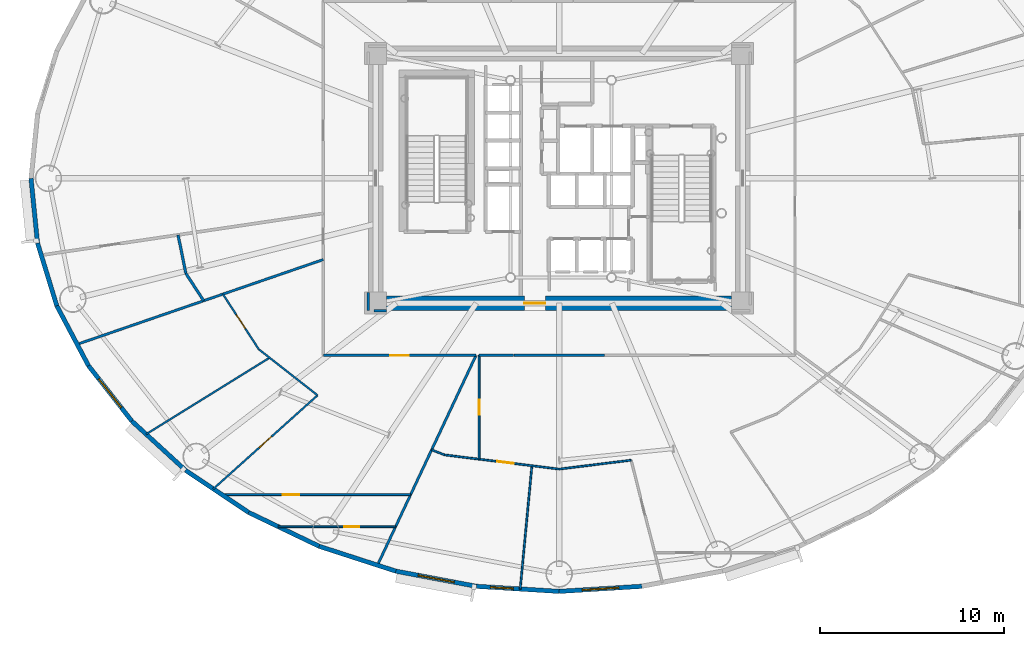
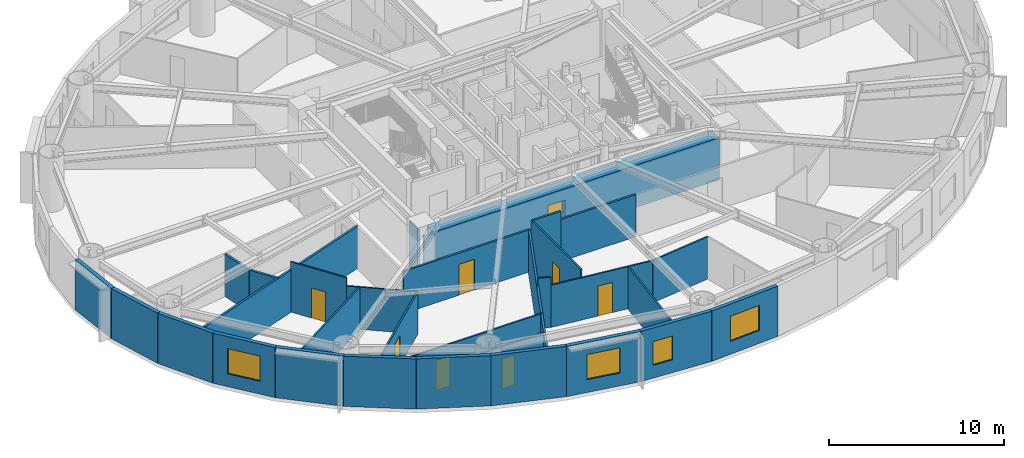
# One storey, part 11 of 21: 32 walls, 8 doors, 4 windows, 12 openings.
"""IFC4 building model written with IfcOpenShell, lengths in metres."""

import ifcopenshell
import ifcopenshell.guid

model = None  # the IFC model being written
_history = None  # IfcOwnerHistory: only IFC2X3 demands one
_inside = {}  # id of a spatial element -> (the spatial element, [elements in it])
_under = {}  # id of a project, library or spatial element -> (it, [spatial elements below it])
_declared = {}  # id of a project -> (the project, [libraries it declares])
_typed = {}  # id of a type object -> (the type object, [elements of that type])
_made_of = {}  # id of a material, layer set ... -> (it, [elements and type objects made of it])


def new_model(schema):
    """Start an empty IFC model of exactly this schema.

    Asked for "IFC4X3", IfcOpenShell would pick the latest addendum, in which some entities
    have other attributes; the version numbers below select the first issue.
    IFC2X3 requires an IfcOwnerHistory on every rooted entity: one is made here for all.
    """
    global model, _history
    if schema == "IFC4X3":
        model = ifcopenshell.file(schema_version=(4, 3, 0, 0))
    else:
        model = ifcopenshell.file(schema=schema)
    _inside.clear()
    _under.clear()
    _declared.clear()
    _typed.clear()
    _made_of.clear()
    _history = None
    if model.schema == "IFC2X3":
        org = make("IfcOrganization", Name="unknown")
        user = make(
            "IfcPersonAndOrganization",
            ThePerson=make("IfcPerson", FamilyName="unknown"),
            TheOrganization=org,
        )
        app = make(
            "IfcApplication",
            ApplicationDeveloper=org,
            Version="unknown",
            ApplicationFullName="unknown",
            ApplicationIdentifier="unknown",
        )
        _history = make(
            "IfcOwnerHistory",
            OwningUser=user,
            OwningApplication=app,
            ChangeAction="ADDED",
            CreationDate=0,
        )
    return model


def make(cls, **values):
    """One entity of the class cls with the attributes given. An attribute that is None is left unset."""
    return model.create_entity(
        cls, **{name: value for name, value in values.items() if value is not None}
    )


def rooted(cls, **values):
    """An entity with a GlobalId (a new one), such as an element, a storey or a relation."""
    return make(cls, GlobalId=ifcopenshell.guid.new(), OwnerHistory=_history, **values)


def si_unit(unit_type, name, prefix=None):
    """IfcSIUnit, for example si_unit("LENGTHUNIT", "METRE", prefix="MILLI")."""
    return make("IfcSIUnit", UnitType=unit_type, Prefix=prefix, Name=name)


def assignment(units):
    """IfcUnitAssignment: the units of a project."""
    return None if units is None else make("IfcUnitAssignment", Units=units)


def point(xyz):
    """IfcCartesianPoint."""
    return None if xyz is None else make("IfcCartesianPoint", Coordinates=xyz)


def direction(xyz):
    """IfcDirection."""
    return None if xyz is None else make("IfcDirection", DirectionRatios=xyz)


def frame(location, z_axis=None, x_axis=None):
    """IfcAxis2Placement3D, a coordinate frame: its origin and axes. An axis left out is left unset."""
    return make(
        "IfcAxis2Placement3D",
        Location=point(location),
        Axis=direction(z_axis),
        RefDirection=direction(x_axis),
    )


def frame_2d(location, x_axis=None):
    """IfcAxis2Placement2D, a coordinate frame in the plane: its origin and x axis."""
    return make(
        "IfcAxis2Placement2D", Location=point(location), RefDirection=direction(x_axis)
    )


def origin():
    """The frame at (0, 0, 0) with its axes left unset."""
    return frame((0.0, 0.0, 0.0))


def origin_2d():
    """The frame at (0, 0) in the plane with its x axis left unset."""
    return frame_2d((0.0, 0.0))


def place(relative_to, where):
    """IfcLocalPlacement: puts the frame where relative to a parent placement (None: the world)."""
    return make(
        "IfcLocalPlacement", PlacementRelTo=relative_to, RelativePlacement=where
    )


def context(
    kind, dimensions, precision=None, world=None, true_north=None, identifier=None
):
    """IfcGeometricRepresentationContext, for example the 3D "Model" context."""
    return make(
        "IfcGeometricRepresentationContext",
        ContextIdentifier=identifier,
        ContextType=kind,
        CoordinateSpaceDimension=dimensions,
        Precision=precision,
        WorldCoordinateSystem=world,
        TrueNorth=true_north,
    )


def subcontext(parent, identifier, kind, view, scale=None):
    """IfcGeometricRepresentationSubContext, for example "Body" below "Model"."""
    return make(
        "IfcGeometricRepresentationSubContext",
        ContextIdentifier=identifier,
        ContextType=kind,
        ParentContext=parent,
        TargetScale=scale,
        TargetView=view,
    )


def project(units=None, contexts=None):
    """IfcProject with its units and contexts."""
    return rooted(
        "IfcProject",
        Name="project",
        RepresentationContexts=contexts,
        UnitsInContext=assignment(units),
    )


def spatial(cls, under=None, at=None, **own):
    """A site, building, storey or space (cls), placed at a placement, below another one or the project."""
    s = rooted(cls, ObjectPlacement=at, **own)
    if under is not None:
        _under.setdefault(under.id(), (under, []))[1].append(s)
    return s


def profile(cls, at=None, kind="AREA", **sizes):
    """A parametric profile (cls). Its sizes go by their IFC names, for example OverallWidth=200.0."""
    return make(cls, ProfileType=kind, Position=at, **sizes)


def rectangle(**sizes):
    """IfcRectangleProfileDef."""
    return profile("IfcRectangleProfileDef", **sizes)


def extrude(swept, where, along, depth):
    """IfcExtrudedAreaSolid: the profile swept, set in the frame where, extruded along a direction by depth."""
    return make(
        "IfcExtrudedAreaSolid",
        SweptArea=swept,
        Position=where,
        ExtrudedDirection=direction(along),
        Depth=depth,
    )


def shape(context_of_items, identifier, shape_type, items):
    """IfcShapeRepresentation: the items that make up one representation, for example the "Body"."""
    return make(
        "IfcShapeRepresentation",
        ContextOfItems=context_of_items,
        RepresentationIdentifier=identifier,
        RepresentationType=shape_type,
        Items=items,
    )


def source(mapping_origin, context_of_items, identifier, shape_type, items):
    """IfcRepresentationMap: a shape defined once, which mapped items show again and again."""
    return make(
        "IfcRepresentationMap",
        MappingOrigin=mapping_origin,
        MappedRepresentation=shape(context_of_items, identifier, shape_type, items),
    )


def transform(
    local_origin,
    x_axis=None,
    y_axis=None,
    z_axis=None,
    scale=None,
    scale2=None,
    scale3=None,
    uniform=True,
):
    """IfcCartesianTransformationOperator3D, or its non-uniform kind. x_axis, y_axis, z_axis: its Axis1, 2, 3."""
    if uniform:
        return make(
            "IfcCartesianTransformationOperator3D",
            Axis1=direction(x_axis),
            Axis2=direction(y_axis),
            LocalOrigin=point(local_origin),
            Scale=scale,
            Axis3=direction(z_axis),
        )
    return make(
        "IfcCartesianTransformationOperator3DnonUniform",
        Axis1=direction(x_axis),
        Axis2=direction(y_axis),
        LocalOrigin=point(local_origin),
        Scale=scale,
        Axis3=direction(z_axis),
        Scale2=scale2,
        Scale3=scale3,
    )


def mapped(mapping_source, mapping_target):
    """IfcMappedItem: shows the shape of a source again, moved by a transform."""
    return make(
        "IfcMappedItem", MappingSource=mapping_source, MappingTarget=mapping_target
    )


def material(Name=None, Category=None):
    """IfcMaterial."""
    return make("IfcMaterial", Name=Name, Category=Category)


def layer(
    of_material, thickness, ventilated=None, Name=None, Category=None, Priority=None
):
    """IfcMaterialLayer: one layer of a wall or slab, of a material (None: an air gap)."""
    return make(
        "IfcMaterialLayer",
        Material=of_material,
        LayerThickness=thickness,
        IsVentilated=ventilated,
        Name=Name,
        Category=Category,
        Priority=Priority,
    )


def layer_set(layers, Name=None):
    """IfcMaterialLayerSet."""
    return make("IfcMaterialLayerSet", MaterialLayers=layers, LayerSetName=Name)


def made_of(thing, what):
    """Note that an element or type object is made of a material, layer set ...; save() writes the relation."""
    if what is not None:
        _made_of.setdefault(what.id(), (what, []))[1].append(thing)
    return thing


def type_object(cls, material=None, **own):
    """A type object (cls), such as IfcWallType, which elements share."""
    return made_of(rooted(cls, **own), material)


def element(
    cls,
    number,
    at=None,
    inside=None,
    cuts=None,
    type_object=None,
    material=None,
    context=None,
    identifier="Body",
    shape_type=None,
    held_by="IfcProductDefinitionShape",
    body=None,
    shapes=None,
    **own,
):
    """One element of the class cls, such as IfcWall. Its Tag is "e" and its number.

    at: its placement. inside: the storey or other place that contains it. cuts: it is an
    opening in that element (IfcRelVoidsElement). A single representation is given by context,
    identifier, shape_type and body (its items); several are given by shapes. held_by: the class
    of the entity that holds the representations. save() writes the other relations.
    """
    e = rooted(cls, Tag="e%d" % number, ObjectPlacement=at, **own)
    if body is not None:
        shapes = [shape(context, identifier, shape_type, body)]
    if shapes is not None:
        e.Representation = make(held_by, Representations=shapes)
    if inside is not None:
        _inside.setdefault(inside.id(), (inside, []))[1].append(e)
    if cuts is not None:
        rooted(
            "IfcRelVoidsElement", RelatingBuildingElement=cuts, RelatedOpeningElement=e
        )
    if type_object is not None:
        _typed.setdefault(type_object.id(), (type_object, []))[1].append(e)
    return made_of(e, material)


def fill(opening, filler):
    """IfcRelFillsElement: the door or window that sits in an opening."""
    return rooted(
        "IfcRelFillsElement",
        RelatingOpeningElement=opening,
        RelatedBuildingElement=filler,
    )


def aggregate(whole, parts):
    """IfcRelAggregates: a whole, such as a stair, and the parts it consists of."""
    return rooted("IfcRelAggregates", RelatingObject=whole, RelatedObjects=parts)


def save(model, path):
    """Write the relations noted so far, then the file.

    IfcRelAggregates (storeys below a building ...), IfcRelContainedInSpatialStructure (elements
    in a storey), IfcRelDefinesByType, IfcRelAssociatesMaterial and IfcRelDeclares: one each for
    every whole, place, type object, material and project.
    """
    for whole, parts in _under.values():
        aggregate(whole, parts)
    for where, things in _inside.values():
        rooted(
            "IfcRelContainedInSpatialStructure",
            RelatedElements=things,
            RelatingStructure=where,
        )
    for kind, things in _typed.values():
        rooted("IfcRelDefinesByType", RelatedObjects=things, RelatingType=kind)
    for what, things in _made_of.values():
        rooted("IfcRelAssociatesMaterial", RelatedObjects=things, RelatingMaterial=what)
    for by, libraries in _declared.values():
        rooted("IfcRelDeclares", RelatingContext=by, RelatedDefinitions=libraries)
    model.write(path)


model = new_model("IFC4")

# Units and contexts
model_context = context("Model", 3, precision=1e-05, world=origin(), true_north=direction((0.0, 1.0)))
body_context = subcontext(model_context, "Body", "Model", "MODEL_VIEW")
ifc_project = project(units=[si_unit("LENGTHUNIT", "METRE"), si_unit("AREAUNIT", "SQUARE_METRE"), si_unit("VOLUMEUNIT", "CUBIC_METRE"), si_unit("PLANEANGLEUNIT", "RADIAN"), si_unit("MASSUNIT", "GRAM", prefix="KILO")], contexts=[model_context])

# Site, building, storey
site_placement = place(None, origin())
site = spatial("IfcSite", under=ifc_project, at=site_placement, CompositionType="ELEMENT")
building_placement = place(site_placement, origin())
building = spatial("IfcBuilding", under=site, at=building_placement, Name="Linh Dai School and Residence Tower", CompositionType="ELEMENT")
storey_placement = place(building_placement, frame((0.0, 0.0, 134.699951171875)))
storey = spatial("IfcBuildingStorey", under=building, at=storey_placement, Name="L32", CompositionType="ELEMENT", Elevation=134.699951171875)

# Walls
ifc_material_1 = material(Name="Precast Concrete B45 (C35/45)", Category="concrete")
ifc_layer_1 = layer(ifc_material_1, 0.239990234375)
ifc_layer_set_1 = layer_set([ifc_layer_1], Name="Precast Concrete B45 (C35/45)")
wall_type_1 = type_object("IfcWallType", Name="EW-TC-240", PredefinedType="SOLIDWALL", material=ifc_layer_set_1)
wall_1_placement = place(storey_placement, frame((7.578369140625, 23.484619140625, 0.0), z_axis=(0.0, 0.0, 1.0), x_axis=(-0.099989468229, 0.994988495533, 0.0)))
element("IfcWall", 1, at=wall_1_placement, inside=storey, type_object=wall_type_1, Name="L32 Terracotta Exterior Wall 21", PredefinedType="SOLIDWALL", context=body_context, shape_type="SweptSolid", body=[
    extrude(rectangle(XDim=3.533203125, YDim=0.239990234375, at=frame_2d((1.7666015625, 0.0))), origin(), (0.0, 0.0, 1.0), 3.5),
])
wall_2_placement = place(storey_placement, frame((8.6298828125, 20.054931640625, 0.0), z_axis=(0.0, 0.0, 1.0), x_axis=(-0.293124431344, 0.956074300329, 0.0)))
element("IfcWall", 2, at=wall_2_placement, inside=storey, type_object=wall_type_1, Name="L32 Terracotta Exterior Wall 22", PredefinedType="SOLIDWALL", context=body_context, shape_type="SweptSolid", body=[
    extrude(rectangle(XDim=3.587158203125, YDim=0.239990234375, at=frame_2d((1.79345703125, 0.0))), origin(), (0.0, 0.0, 1.0), 3.5),
])
wall_3_placement = place(storey_placement, frame((10.354736328125, 16.79443359375, 0.0), z_axis=(0.0, 0.0, 1.0), x_axis=(-0.467614004126, 0.883932770716, 0.0)))
element("IfcWall", 3, at=wall_3_placement, inside=storey, type_object=wall_type_1, Name="L32 Terracotta Exterior Wall 23", PredefinedType="SOLIDWALL", context=body_context, shape_type="SweptSolid", body=[
    extrude(rectangle(XDim=3.688720703125, YDim=0.239990234375, at=frame_2d((1.84423828125, 0.0))), origin(), (0.0, 0.0, 1.0), 3.5),
])

# Wall, opening, window
wall_4_placement = place(storey_placement, frame((12.7109375, 13.783447265625, 0.0), z_axis=(0.0, 0.0, 1.0), x_axis=(-0.616272103517, 0.787533297345, 0.0)))
wall_4 = element("IfcWall", 4, at=wall_4_placement, inside=storey, type_object=wall_type_1, Name="L32 Terracotta Exterior Wall 24", PredefinedType="SOLIDWALL", context=body_context, shape_type="SweptSolid", body=[
    extrude(rectangle(XDim=3.8232421875, YDim=0.239990234375, at=frame_2d((1.91162109375, 0.0))), origin(), (0.0, 0.0, 1.0), 3.5),
])
opening_1_placement = place(wall_4_placement, frame((0.91162109375, 0.0, 0.89990234375)))
opening_1 = element("IfcOpeningElement", 5, at=opening_1_placement, cuts=wall_4, Name="Opening W1", PredefinedType="OPENING", context=body_context, shape_type="SweptSolid", body=[
    extrude(rectangle(XDim=2.0, YDim=1.75, at=origin_2d()), frame((1.0, 0.1298828125, 0.875), z_axis=(0.0, -1.0, 0.0), x_axis=(1.0, 0.0, 0.0)), (0.0, 0.0, 1.0), 0.260009765625),
])
ifc_material_2 = material(Name="Double Low-E Insulated Glazing", Category="glass")
window_type_1 = type_object("IfcWindowType", Name="WN-RES-2000x1750", PartitioningType="DOUBLE_PANEL_VERTICAL", PredefinedType="WINDOW", material=ifc_material_2)
shared_shape_1 = source(origin(), body_context, "Body", "SweptSolid", [
    extrude(rectangle(XDim=2.0, YDim=1.75, at=origin_2d()), frame((1.0, 0.030029296875, 0.875), z_axis=(0.0, -1.0, 0.0), x_axis=(1.0, 0.0, 0.0)), (0.0, 0.0, 1.0), 0.06005859375),
])
window_1_placement = place(opening_1_placement, origin())
window_1 = element("IfcWindow", 6, at=window_1_placement, inside=storey, type_object=window_type_1, Name="L32 Exterior Window 24.1", OverallHeight=1.75, OverallWidth=2.0, PartitioningType="DOUBLE_PANEL_VERTICAL", PredefinedType="WINDOW", context=body_context, shape_type="MappedRepresentation", body=[
    mapped(shared_shape_1, transform((0.0, 0.0, 0.0), x_axis=(1.0, 0.0, 0.0), y_axis=(0.0, 1.0, 0.0), z_axis=(0.0, 0.0, 1.0), scale=1.0)),
])
fill(opening_1, window_1)

# Walls
wall_5_placement = place(storey_placement, frame((15.6416015625, 11.0966796875, 0.0), z_axis=(0.0, 0.0, 1.0), x_axis=(-0.737113356241, 0.675769117414, 0.0)))
element("IfcWall", 7, at=wall_5_placement, inside=storey, type_object=wall_type_1, Name="L32 Terracotta Exterior Wall 25", PredefinedType="SOLIDWALL", context=body_context, shape_type="SweptSolid", body=[
    extrude(rectangle(XDim=3.975830078125, YDim=0.239990234375, at=frame_2d((1.98779296875, 0.0))), origin(), (0.0, 0.0, 1.0), 3.5),
])
wall_6_placement = place(storey_placement, frame((19.07470703125, 8.800537109375, 0.0), z_axis=(0.0, 0.0, 1.0), x_axis=(-0.831221811447, 0.555940914284, 0.0)))
element("IfcWall", 8, at=wall_6_placement, inside=storey, type_object=wall_type_1, Name="L32 Terracotta Exterior Wall 26", PredefinedType="SOLIDWALL", context=body_context, shape_type="SweptSolid", body=[
    extrude(rectangle(XDim=4.130126953125, YDim=0.239990234375, at=frame_2d((2.06494140625, 0.0))), origin(), (0.0, 0.0, 1.0), 3.5),
])
wall_7_placement = place(storey_placement, frame((22.926025390625, 6.95263671875, 0.0), z_axis=(0.0, 0.0, 1.0), x_axis=(-0.901589935876, 0.432591709962, 0.0)))
element("IfcWall", 9, at=wall_7_placement, inside=storey, type_object=wall_type_1, Name="L32 Terracotta Exterior Wall 27", PredefinedType="SOLIDWALL", context=body_context, shape_type="SweptSolid", body=[
    extrude(rectangle(XDim=4.271728515625, YDim=0.239990234375, at=frame_2d((2.1357421875, 0.0))), origin(), (0.0, 0.0, 1.0), 3.5),
])
wall_8_placement = place(storey_placement, frame((27.100341796875, 5.5986328125, 0.0), z_axis=(0.0, 0.0, 1.0), x_axis=(-0.951211346073, 0.308540070495, 0.0)))
element("IfcWall", 10, at=wall_8_placement, inside=storey, type_object=wall_type_1, Name="L32 Terracotta Exterior Wall 28", PredefinedType="SOLIDWALL", context=body_context, shape_type="SweptSolid", body=[
    extrude(rectangle(XDim=4.388427734375, YDim=0.239990234375, at=frame_2d((2.1943359375, 0.0))), origin(), (0.0, 0.0, 1.0), 3.5),
])

# Wall, opening, window
wall_9_placement = place(storey_placement, frame((31.494384765625, 4.772705078125, 0.0), z_axis=(0.0, 0.0, 1.0), x_axis=(-0.982789252177, 0.184730305596, 0.0)))
wall_9 = element("IfcWall", 11, at=wall_9_placement, inside=storey, type_object=wall_type_1, Name="L32 Terracotta Exterior Wall 29", PredefinedType="SOLIDWALL", context=body_context, shape_type="SweptSolid", body=[
    extrude(rectangle(XDim=4.470947265625, YDim=0.239990234375, at=frame_2d((2.2353515625, 0.0))), origin(), (0.0, 0.0, 1.0), 3.5),
])
opening_2_placement = place(wall_9_placement, frame((1.235595703125, 0.0, 0.89990234375)))
opening_2 = element("IfcOpeningElement", 12, at=opening_2_placement, cuts=wall_9, Name="Opening W1", PredefinedType="OPENING", context=body_context, shape_type="SweptSolid", body=[
    extrude(rectangle(XDim=2.0, YDim=1.75, at=origin_2d()), frame((1.0, 0.1298828125, 0.875), z_axis=(0.0, -1.0, 0.0), x_axis=(1.0, 0.0, 0.0)), (0.0, 0.0, 1.0), 0.260009765625),
])
window_2_placement = place(opening_2_placement, origin())
window_2 = element("IfcWindow", 13, at=window_2_placement, inside=storey, type_object=window_type_1, Name="L32 Exterior Window 29.1", OverallHeight=1.75, OverallWidth=2.0, PartitioningType="DOUBLE_PANEL_VERTICAL", PredefinedType="WINDOW", context=body_context, shape_type="MappedRepresentation", body=[
    mapped(shared_shape_1, transform((0.0, 0.0, 0.0), x_axis=(1.0, 0.0, 0.0), y_axis=(0.0, 1.0, 0.0), z_axis=(0.0, 0.0, 1.0), scale=1.0)),
])
fill(opening_2, window_2)

wall_10_placement = place(storey_placement, frame((36.0, 4.4951171875, 0.0), z_axis=(0.0, 0.0, 1.0), x_axis=(-0.998107531589, 0.061492726276, 0.0)))
wall_10 = element("IfcWall", 14, at=wall_10_placement, inside=storey, type_object=wall_type_1, Name="L32 Terracotta Exterior Wall 30", PredefinedType="SOLIDWALL", context=body_context, shape_type="SweptSolid", body=[
    extrude(rectangle(XDim=4.51416015625, YDim=0.239990234375, at=frame_2d((2.257080078125, 0.0))), origin(), (0.0, 0.0, 1.0), 3.5),
])
opening_3_placement = place(wall_10_placement, frame((2.498779296875, 0.0, 0.89990234375)))
opening_3 = element("IfcOpeningElement", 15, at=opening_3_placement, cuts=wall_10, Name="Opening W3", PredefinedType="OPENING", context=body_context, shape_type="SweptSolid", body=[
    extrude(rectangle(XDim=1.25, YDim=1.64990234375, at=origin_2d()), frame((0.625, 0.1298828125, 0.824951171875), z_axis=(0.0, -1.0, 0.0), x_axis=(1.0, 0.0, 0.0)), (0.0, 0.0, 1.0), 0.260009765625),
])
window_type_2 = type_object("IfcWindowType", Name="WN-RES-1250x1650", PartitioningType="SINGLE_PANEL", PredefinedType="WINDOW", material=ifc_material_2)
shared_shape_2 = source(origin(), body_context, "Body", "SweptSolid", [
    extrude(rectangle(XDim=1.25, YDim=1.64990234375, at=origin_2d()), frame((0.625, 0.030029296875, 0.824951171875), z_axis=(0.0, -1.0, 0.0), x_axis=(1.0, 0.0, 0.0)), (0.0, 0.0, 1.0), 0.06005859375),
])
window_3_placement = place(opening_3_placement, origin())
window_3 = element("IfcWindow", 16, at=window_3_placement, inside=storey, type_object=window_type_2, Name="L32 Exterior Window 30.1", OverallHeight=1.64990234375, OverallWidth=1.25, PartitioningType="SINGLE_PANEL", PredefinedType="WINDOW", context=body_context, shape_type="MappedRepresentation", body=[
    mapped(shared_shape_2, transform((0.0, 0.0, 0.0), x_axis=(1.0, 0.0, 0.0), y_axis=(0.0, 1.0, 0.0), z_axis=(0.0, 0.0, 1.0), scale=1.0)),
])
fill(opening_3, window_3)

wall_11_placement = place(storey_placement, frame((40.505615234375, 4.772705078125, 0.0), z_axis=(0.0, 0.0, 1.0), x_axis=(-0.998107531589, -0.061492726276, 0.0)))
wall_11 = element("IfcWall", 17, at=wall_11_placement, inside=storey, type_object=wall_type_1, Name="L32 Terracotta Exterior Wall 31", PredefinedType="SOLIDWALL", context=body_context, shape_type="SweptSolid", body=[
    extrude(rectangle(XDim=4.51416015625, YDim=0.239990234375, at=frame_2d((2.257080078125, 0.0))), origin(), (0.0, 0.0, 1.0), 3.5),
])
opening_4_placement = place(wall_11_placement, frame((1.257080078125, 0.0, 0.89990234375)))
opening_4 = element("IfcOpeningElement", 18, at=opening_4_placement, cuts=wall_11, Name="Opening W1", PredefinedType="OPENING", context=body_context, shape_type="SweptSolid", body=[
    extrude(rectangle(XDim=2.0, YDim=1.75, at=origin_2d()), frame((1.0, 0.1298828125, 0.875), z_axis=(0.0, -1.0, 0.0), x_axis=(1.0, 0.0, 0.0)), (0.0, 0.0, 1.0), 0.260009765625),
])
window_4_placement = place(opening_4_placement, origin())
window_4 = element("IfcWindow", 19, at=window_4_placement, inside=storey, type_object=window_type_1, Name="L32 Exterior Window 31.1", OverallHeight=1.75, OverallWidth=2.0, PartitioningType="DOUBLE_PANEL_VERTICAL", PredefinedType="WINDOW", context=body_context, shape_type="MappedRepresentation", body=[
    mapped(shared_shape_1, transform((0.0, 0.0, 0.0), x_axis=(1.0, 0.0, 0.0), y_axis=(0.0, 1.0, 0.0), z_axis=(0.0, 0.0, 1.0), scale=1.0)),
])
fill(opening_4, window_4)

# Wall
ifc_material_3 = material(Name="Autoclaved Aerated Concrete Blockwork", Category="masonry")
ifc_layer_2 = layer(ifc_material_3, 0.135009765625)
ifc_layer_set_2 = layer_set([ifc_layer_2], Name="Autoclaved Aerated Concrete Blockwork")
wall_type_2 = type_object("IfcWallType", Name="IW-CORR-135-EI90", PredefinedType="PARTITIONING", material=ifc_layer_set_2)
wall_12_placement = place(storey_placement, frame((9.734619140625, 17.9560546875, 0.0), z_axis=(0.0, 0.0, 1.0), x_axis=(0.945515704768, 0.325576491836, 0.0)))
element("IfcWall", 20, at=wall_12_placement, inside=storey, type_object=wall_type_2, Name="L32 Interior Partition Wall 002", PredefinedType="PARTITIONING", context=body_context, shape_type="SweptSolid", body=[
    extrude(rectangle(XDim=14.188232421875, YDim=0.135009765625, at=frame_2d((7.09423828125, 0.0))), origin(), (0.0, 0.0, 1.0), 2.93505859375),
])

# Wall, opening, door
wall_13_placement = place(storey_placement, frame((23.14990234375, 17.35009765625, 0.0), z_axis=(0.0, 0.0, 1.0), x_axis=(1.0, 0.0, 0.0)))
wall_13 = element("IfcWall", 21, at=wall_13_placement, inside=storey, type_object=wall_type_2, Name="L32 Interior Partition Wall 016", PredefinedType="PARTITIONING", context=body_context, shape_type="SweptSolid", body=[
    extrude(rectangle(XDim=8.318359375, YDim=0.135009765625, at=frame_2d((4.1591796875, 0.0))), origin(), (0.0, 0.0, 1.0), 2.93505859375),
])
opening_5_placement = place(wall_13_placement, frame((3.6591796875, 0.0, 0.0)))
opening_5 = element("IfcOpeningElement", 22, at=opening_5_placement, cuts=wall_13, Name="Opening D03", PredefinedType="OPENING", context=body_context, shape_type="SweptSolid", body=[
    extrude(rectangle(XDim=1.0, YDim=2.14990234375, at=origin_2d()), frame((0.5, 0.07763671875, 1.074951171875), z_axis=(0.0, -1.0, 0.0), x_axis=(1.0, 0.0, 0.0)), (0.0, 0.0, 1.0), 0.155029296875),
])
ifc_material_4 = material(Name="Fire-Rated Solid Timber Entrance Door", Category="wood")
door_type_1 = type_object("IfcDoorType", Name="DR-FLAT-1000x2150-FD60S", OperationType="NOTDEFINED", PredefinedType="DOOR", material=ifc_material_4)
shared_shape_3 = source(origin(), body_context, "Body", "SweptSolid", [
    extrude(rectangle(XDim=1.0, YDim=2.14990234375, at=origin_2d()), frame((0.5, 0.02490234375, 1.074951171875), z_axis=(0.0, -1.0, 0.0), x_axis=(1.0, 0.0, 0.0)), (0.0, 0.0, 1.0), 0.050048828125),
])
door_1_placement = place(opening_5_placement, origin())
door_1 = element("IfcDoor", 23, at=door_1_placement, inside=storey, type_object=door_type_1, Name="L32 U3201 Apartment Entrance Door", OperationType="SINGLE_SWING_LEFT", OverallHeight=2.14990234375, OverallWidth=1.0, PredefinedType="DOOR", context=body_context, shape_type="MappedRepresentation", body=[
    mapped(shared_shape_3, transform((0.0, 0.0, 0.0), x_axis=(1.0, 0.0, 0.0), y_axis=(0.0, 1.0, 0.0), z_axis=(0.0, 0.0, 1.0), scale=1.0)),
])
fill(opening_5, door_1)

# Walls
wall_14_placement = place(storey_placement, frame((26.099609375, 5.91796875, 0.0), z_axis=(0.0, 0.0, 1.0), x_axis=(0.425072644526, 0.905159238408, 0.0)))
element("IfcWall", 24, at=wall_14_placement, inside=storey, type_object=wall_type_2, Name="L32 Interior Partition Wall 019", PredefinedType="PARTITIONING", context=body_context, shape_type="SweptSolid", body=[
    extrude(rectangle(XDim=12.6298828125, YDim=0.135009765625, at=frame_2d((6.31494140625, 0.0))), origin(), (0.0, 0.0, 1.0), 2.93505859375),
])
wall_15_placement = place(storey_placement, frame((31.64111328125, 17.35009765625, 0.0), z_axis=(0.0, 0.0, 1.0), x_axis=(1.0, 0.0, 0.0)))
element("IfcWall", 25, at=wall_15_placement, inside=storey, type_object=wall_type_2, Name="L32 Interior Partition Wall 027", PredefinedType="PARTITIONING", context=body_context, shape_type="SweptSolid", body=[
    extrude(rectangle(XDim=1.8818359375, YDim=0.135009765625, at=frame_2d((0.94091796875, 0.0))), origin(), (0.0, 0.0, 1.0), 3.5),
])
wall_16_placement = place(storey_placement, frame((38.467041015625, 17.35009765625, 0.0), z_axis=(0.0, 0.0, 1.0), x_axis=(-1.0, 0.0, 0.0)))
element("IfcWall", 26, at=wall_16_placement, inside=storey, type_object=wall_type_2, Name="L32 Interior Partition Wall 104", PredefinedType="PARTITIONING", context=body_context, shape_type="SweptSolid", body=[
    extrude(rectangle(XDim=4.93408203125, YDim=0.135009765625, at=frame_2d((2.467041015625, 0.0))), origin(), (0.0, 0.0, 1.0), 2.93505859375),
])
wall_17_placement = place(storey_placement, frame((25.60009765625, 20.7900390625, 0.0), z_axis=(0.0, 0.0, 1.0), x_axis=(0.0, -1.0, 0.0)))
element("IfcWall", 27, at=wall_17_placement, inside=storey, type_object=wall_type_2, Name="L32 Interior Partition Wall 108", PredefinedType="PARTITIONING", context=body_context, shape_type="SweptSolid", body=[
    extrude(rectangle(XDim=0.989990234375, YDim=0.135009765625, at=frame_2d((0.4951171875, 0.0))), origin(), (0.0, 0.0, 1.0), 3.5),
])
wall_18_placement = place(storey_placement, frame((25.907470703125, 19.800048828125, 0.0), z_axis=(0.0, 0.0, 1.0), x_axis=(1.0, 0.0, 0.0)))
element("IfcWall", 28, at=wall_18_placement, inside=storey, type_object=wall_type_2, Name="L32 Interior Partition Wall 109", PredefinedType="PARTITIONING", context=body_context, shape_type="SweptSolid", body=[
    extrude(rectangle(XDim=0.6826171875, YDim=0.135009765625, at=frame_2d((0.34130859375, 0.0))), origin(), (0.0, 0.0, 1.0), 2.93505859375),
])
ifc_layer_3 = layer(ifc_material_3, 0.14990234375)
ifc_layer_set_3 = layer_set([ifc_layer_3], Name="Autoclaved Aerated Concrete Blockwork")
wall_type_3 = type_object("IfcWallType", Name="IW-SCH-150-EI60", PredefinedType="PARTITIONING", material=ifc_layer_set_3)
wall_19_placement = place(storey_placement, frame((15.237060546875, 23.919189453125, 0.0), z_axis=(0.0, 0.0, 1.0), x_axis=(0.198269330309, -0.98014757698, 0.0)))
element("IfcWall", 29, at=wall_19_placement, inside=storey, type_object=wall_type_3, Name="L32 Interior Partition Wall 006", PredefinedType="PARTITIONING", context=body_context, shape_type="SweptSolid", body=[
    extrude(rectangle(XDim=2.136474609375, YDim=0.14990234375, at=frame_2d((1.068359375, 0.0))), origin(), (0.0, 0.0, 1.0), 2.93505859375),
])
wall_20_placement = place(storey_placement, frame((15.66064453125, 21.8251953125, 0.0), z_axis=(0.0, 0.0, 1.0), x_axis=(0.54543603077, -0.838152454114, 0.0)))
element("IfcWall", 30, at=wall_20_placement, inside=storey, type_object=wall_type_3, Name="L32 Interior Partition Wall 007", PredefinedType="PARTITIONING", context=body_context, shape_type="SweptSolid", body=[
    extrude(rectangle(XDim=1.782470703125, YDim=0.14990234375, at=frame_2d((0.89111328125, 0.0))), origin(), (0.0, 0.0, 1.0), 2.93505859375),
])
ifc_material_5 = material(Name="Gypsum Plasterboard Acoustic Stud Partition", Category="masonry")
ifc_layer_4 = layer(ifc_material_5, 0.10009765625)
ifc_layer_set_4 = layer_set([ifc_layer_4], Name="Gypsum Plasterboard Acoustic Stud Partition")
wall_type_4 = type_object("IfcWallType", Name="IW-UNIT-100", PredefinedType="PARTITIONING", material=ifc_layer_set_4)
wall_21_placement = place(storey_placement, frame((13.493896484375, 13.058837890625, 0.0), z_axis=(0.0, 0.0, 1.0), x_axis=(0.850110644983, 0.526604112486, 0.0)))
element("IfcWall", 31, at=wall_21_placement, inside=storey, type_object=wall_type_4, Name="L32 Interior Partition Wall 004", PredefinedType="PARTITIONING", context=body_context, shape_type="SweptSolid", body=[
    extrude(rectangle(XDim=7.915771484375, YDim=0.10009765625, at=frame_2d((3.9580078125, 0.0))), origin(), (0.0, 0.0, 1.0), 2.93505859375),
])

# Wall, opening, door
wall_22_placement = place(storey_placement, frame((17.1552734375, 10.078369140625, 0.0), z_axis=(0.0, 0.0, 1.0), x_axis=(0.744051955022, 0.668121761528, 0.0)))
wall_22 = element("IfcWall", 32, at=wall_22_placement, inside=storey, type_object=wall_type_4, Name="L32 Interior Partition Wall 008", PredefinedType="PARTITIONING", context=body_context, shape_type="SweptSolid", body=[
    extrude(rectangle(XDim=7.636474609375, YDim=0.10009765625, at=frame_2d((3.818359375, 0.0))), origin(), (0.0, 0.0, 1.0), 2.93505859375),
])
opening_6_placement = place(wall_22_placement, frame((3.3681640625, 0.0, 0.0)))
opening_6 = element("IfcOpeningElement", 33, at=opening_6_placement, cuts=wall_22, Name="Opening D05", PredefinedType="OPENING", context=body_context, shape_type="SweptSolid", body=[
    extrude(rectangle(XDim=0.89990234375, YDim=2.10009765625, at=origin_2d()), frame((0.449951171875, 0.06005859375, 1.050048828125), z_axis=(0.0, -1.0, 0.0), x_axis=(1.0, 0.0, 0.0)), (0.0, 0.0, 1.0), 0.1201171875),
])
ifc_material_6 = material(Name="Engineered Timber Internal Door", Category="wood")
door_type_2 = type_object("IfcDoorType", Name="DR-INT-900x2100", OperationType="NOTDEFINED", PredefinedType="DOOR", material=ifc_material_6)
shared_shape_4 = source(origin(), body_context, "Body", "SweptSolid", [
    extrude(rectangle(XDim=0.89990234375, YDim=2.10009765625, at=origin_2d()), frame((0.449951171875, 0.02490234375, 1.050048828125), z_axis=(0.0, -1.0, 0.0), x_axis=(1.0, 0.0, 0.0)), (0.0, 0.0, 1.0), 0.050048828125),
])
door_2_placement = place(opening_6_placement, origin())
door_2 = element("IfcDoor", 34, at=door_2_placement, inside=storey, type_object=door_type_2, Name="L32 Apartment U3201 Study Door", OperationType="SINGLE_SWING_LEFT", OverallHeight=2.10009765625, OverallWidth=0.89990234375, PredefinedType="DOOR", context=body_context, shape_type="MappedRepresentation", body=[
    mapped(shared_shape_4, transform((0.0, 0.0, 0.0), x_axis=(1.0, 0.0, 0.0), y_axis=(0.0, 1.0, 0.0), z_axis=(0.0, 0.0, 1.0), scale=1.0)),
])
fill(opening_6, door_2)

wall_23_placement = place(storey_placement, frame((17.619873046875, 9.767578125, 0.0), z_axis=(0.0, 0.0, 1.0), x_axis=(1.0, 0.0, 0.0)))
wall_23 = element("IfcWall", 35, at=wall_23_placement, inside=storey, type_object=wall_type_4, Name="L32 Interior Partition Wall 010", PredefinedType="PARTITIONING", context=body_context, shape_type="SweptSolid", body=[
    extrude(rectangle(XDim=10.28759765625, YDim=0.10009765625, at=frame_2d((5.143798828125, 0.0))), origin(), (0.0, 0.0, 1.0), 2.93505859375),
])
opening_7_placement = place(wall_23_placement, frame((3.321533203125, 0.0, 0.0)))
opening_7 = element("IfcOpeningElement", 36, at=opening_7_placement, cuts=wall_23, Name="Opening D05", PredefinedType="OPENING", context=body_context, shape_type="SweptSolid", body=[
    extrude(rectangle(XDim=0.89990234375, YDim=2.10009765625, at=origin_2d()), frame((0.449951171875, 0.06005859375, 1.050048828125), z_axis=(0.0, -1.0, 0.0), x_axis=(1.0, 0.0, 0.0)), (0.0, 0.0, 1.0), 0.1201171875),
])
door_3_placement = place(opening_7_placement, origin())
door_3 = element("IfcDoor", 37, at=door_3_placement, inside=storey, type_object=door_type_2, Name="L32 Apartment U3201 Kitchen Door", OperationType="SINGLE_SWING_RIGHT", OverallHeight=2.10009765625, OverallWidth=0.89990234375, PredefinedType="DOOR", context=body_context, shape_type="MappedRepresentation", body=[
    mapped(shared_shape_4, transform((0.0, 0.0, 0.0), x_axis=(1.0, 0.0, 0.0), y_axis=(0.0, 1.0, 0.0), z_axis=(0.0, 0.0, 1.0), scale=1.0)),
])
fill(opening_7, door_3)

wall_24_placement = place(storey_placement, frame((17.6796875, 20.69189453125, 0.0), z_axis=(0.0, 0.0, 1.0), x_axis=(0.545371539428, -0.838194418964, 0.0)))
wall_24 = element("IfcWall", 38, at=wall_24_placement, inside=storey, type_object=wall_type_4, Name="L32 Interior Partition Wall 011", PredefinedType="PARTITIONING", context=body_context, shape_type="SweptSolid", body=[
    extrude(rectangle(XDim=3.58251953125, YDim=0.10009765625, at=frame_2d((1.791259765625, 0.0))), origin(), (0.0, 0.0, 1.0), 3.5),
])
opening_8_placement = place(wall_24_placement, frame((1.34130859375, 0.0, 0.0)))
opening_8 = element("IfcOpeningElement", 39, at=opening_8_placement, cuts=wall_24, Name="Opening D05", PredefinedType="OPENING", context=body_context, shape_type="SweptSolid", body=[
    extrude(rectangle(XDim=0.89990234375, YDim=2.10009765625, at=origin_2d()), frame((0.449951171875, 0.06005859375, 1.050048828125), z_axis=(0.0, -1.0, 0.0), x_axis=(1.0, 0.0, 0.0)), (0.0, 0.0, 1.0), 0.1201171875),
])
door_4_placement = place(opening_8_placement, origin())
door_4 = element("IfcDoor", 40, at=door_4_placement, inside=storey, type_object=door_type_2, Name="L32 Apartment U3201 Principal Bedroom 1 Door", OperationType="SINGLE_SWING_RIGHT", OverallHeight=2.10009765625, OverallWidth=0.89990234375, PredefinedType="DOOR", context=body_context, shape_type="MappedRepresentation", body=[
    mapped(shared_shape_4, transform((0.0, 0.0, 0.0), x_axis=(1.0, 0.0, 0.0), y_axis=(0.0, 1.0, 0.0), z_axis=(0.0, 0.0, 1.0), scale=1.0)),
])
fill(opening_8, door_4)

# Wall
wall_25_placement = place(storey_placement, frame((19.633544921875, 17.68896484375, 0.0), z_axis=(0.0, 0.0, 1.0), x_axis=(0.787341639438, -0.616516944461, 0.0)))
element("IfcWall", 41, at=wall_25_placement, inside=storey, type_object=wall_type_4, Name="L32 Interior Partition Wall 012", PredefinedType="PARTITIONING", context=body_context, shape_type="SweptSolid", body=[
    extrude(rectangle(XDim=4.06884765625, YDim=0.10009765625, at=frame_2d((2.034423828125, 0.0))), origin(), (0.0, 0.0, 1.0), 2.93505859375),
])

# Wall, opening, door
wall_26_placement = place(storey_placement, frame((20.68798828125, 8.02099609375, 0.0), z_axis=(0.0, 0.0, 1.0), x_axis=(1.0, 0.0, 0.0)))
wall_26 = element("IfcWall", 42, at=wall_26_placement, inside=storey, type_object=wall_type_4, Name="L32 Interior Partition Wall 013", PredefinedType="PARTITIONING", context=body_context, shape_type="SweptSolid", body=[
    extrude(rectangle(XDim=6.3994140625, YDim=0.10009765625, at=frame_2d((3.19970703125, 0.0))), origin(), (0.0, 0.0, 1.0), 2.93505859375),
])
opening_9_placement = place(wall_26_placement, frame((3.590576171875, 0.0, 0.0)))
opening_9 = element("IfcOpeningElement", 43, at=opening_9_placement, cuts=wall_26, Name="Opening D06", PredefinedType="OPENING", context=body_context, shape_type="SweptSolid", body=[
    extrude(rectangle(XDim=0.820068359375, YDim=2.10009765625, at=origin_2d()), frame((0.41015625, 0.06005859375, 1.050048828125), z_axis=(0.0, -1.0, 0.0), x_axis=(1.0, 0.0, 0.0)), (0.0, 0.0, 1.0), 0.1201171875),
])
ifc_material_7 = material(Name="Moisture-Resistant Timber Bathroom Door", Category="wood")
door_type_3 = type_object("IfcDoorType", Name="DR-WET-820x2100", OperationType="NOTDEFINED", PredefinedType="DOOR", material=ifc_material_7)
shared_shape_5 = source(origin(), body_context, "Body", "SweptSolid", [
    extrude(rectangle(XDim=0.820068359375, YDim=2.10009765625, at=origin_2d()), frame((0.41015625, 0.02490234375, 1.050048828125), z_axis=(0.0, -1.0, 0.0), x_axis=(1.0, 0.0, 0.0)), (0.0, 0.0, 1.0), 0.050048828125),
])
door_5_placement = place(opening_9_placement, origin())
door_5 = element("IfcDoor", 44, at=door_5_placement, inside=storey, type_object=door_type_3, Name="L32 Apartment U3201 Bathroom 1 Door", OperationType="SINGLE_SWING_LEFT", OverallHeight=2.10009765625, OverallWidth=0.820068359375, PredefinedType="DOOR", context=body_context, shape_type="MappedRepresentation", body=[
    mapped(shared_shape_5, transform((0.0, 0.0, 0.0), x_axis=(1.0, 0.0, 0.0), y_axis=(0.0, 1.0, 0.0), z_axis=(0.0, 0.0, 1.0), scale=1.0)),
])
fill(opening_9, door_5)

# Wall
wall_27_placement = place(storey_placement, frame((29.054931640625, 12.2109375, 0.0), z_axis=(0.0, 0.0, 1.0), x_axis=(0.928859514795, -0.370432182423, 0.0)))
element("IfcWall", 45, at=wall_27_placement, inside=storey, type_object=wall_type_4, Name="L32 Interior Partition Wall 021", PredefinedType="PARTITIONING", context=body_context, shape_type="SweptSolid", body=[
    extrude(rectangle(XDim=0.746826171875, YDim=0.10009765625, at=frame_2d((0.37353515625, 0.0))), origin(), (0.0, 0.0, 1.0), 3.5),
])

# Wall, opening, door
wall_28_placement = place(storey_placement, frame((29.74853515625, 11.934326171875, 0.0), z_axis=(0.0, 0.0, 1.0), x_axis=(0.992395485088, -0.123090215599, 0.0)))
wall_28 = element("IfcWall", 46, at=wall_28_placement, inside=storey, type_object=wall_type_4, Name="L32 Interior Partition Wall 022", PredefinedType="PARTITIONING", context=body_context, shape_type="SweptSolid", body=[
    extrude(rectangle(XDim=6.29931640625, YDim=0.10009765625, at=frame_2d((3.149658203125, 0.0))), origin(), (0.0, 0.0, 1.0), 2.93505859375),
])
opening_10_placement = place(wall_28_placement, frame((2.9052734375, 0.0, 0.0)))
opening_10 = element("IfcOpeningElement", 47, at=opening_10_placement, cuts=wall_28, Name="Opening D05", PredefinedType="OPENING", context=body_context, shape_type="SweptSolid", body=[
    extrude(rectangle(XDim=0.89990234375, YDim=2.10009765625, at=origin_2d()), frame((0.449951171875, 0.06005859375, 1.050048828125), z_axis=(0.0, -1.0, 0.0), x_axis=(1.0, 0.0, 0.0)), (0.0, 0.0, 1.0), 0.1201171875),
])
door_6_placement = place(opening_10_placement, origin())
door_6 = element("IfcDoor", 48, at=door_6_placement, inside=storey, type_object=door_type_2, Name="L32 Apartment U3202 Principal Bedroom 1 Door", OperationType="SINGLE_SWING_LEFT", OverallHeight=2.10009765625, OverallWidth=0.89990234375, PredefinedType="DOOR", context=body_context, shape_type="MappedRepresentation", body=[
    mapped(shared_shape_4, transform((0.0, 0.0, 0.0), x_axis=(1.0, 0.0, 0.0), y_axis=(0.0, 1.0, 0.0), z_axis=(0.0, 0.0, 1.0), scale=1.0)),
])
fill(opening_10, door_6)

wall_29_placement = place(storey_placement, frame((31.64111328125, 11.69970703125, 0.0), z_axis=(0.0, 0.0, 1.0), x_axis=(0.0, 1.0, 0.0)))
wall_29 = element("IfcWall", 49, at=wall_29_placement, inside=storey, type_object=wall_type_4, Name="L32 Interior Partition Wall 026", PredefinedType="PARTITIONING", context=body_context, shape_type="SweptSolid", body=[
    extrude(rectangle(XDim=5.650390625, YDim=0.10009765625, at=frame_2d((2.8251953125, 0.0))), origin(), (0.0, 0.0, 1.0), 3.5),
])
opening_11_placement = place(wall_29_placement, frame((2.415283203125, 0.0, 0.0)))
opening_11 = element("IfcOpeningElement", 50, at=opening_11_placement, cuts=wall_29, Name="Opening D06", PredefinedType="OPENING", context=body_context, shape_type="SweptSolid", body=[
    extrude(rectangle(XDim=0.820068359375, YDim=2.10009765625, at=origin_2d()), frame((0.41015625, 0.06005859375, 1.050048828125), z_axis=(0.0, -1.0, 0.0), x_axis=(1.0, 0.0, 0.0)), (0.0, 0.0, 1.0), 0.1201171875),
])
door_7_placement = place(opening_11_placement, origin())
door_7 = element("IfcDoor", 51, at=door_7_placement, inside=storey, type_object=door_type_3, Name="L32 Apartment U3202 Bathroom 1 Door", OperationType="SINGLE_SWING_RIGHT", OverallHeight=2.10009765625, OverallWidth=0.820068359375, PredefinedType="DOOR", context=body_context, shape_type="MappedRepresentation", body=[
    mapped(shared_shape_5, transform((0.0, 0.0, 0.0), x_axis=(1.0, 0.0, 0.0), y_axis=(0.0, 1.0, 0.0), z_axis=(0.0, 0.0, 1.0), scale=1.0)),
])
fill(opening_11, door_7)

# Walls
wall_30_placement = place(storey_placement, frame((33.878173828125, 4.620849609375, 0.0), z_axis=(0.0, 0.0, 1.0), x_axis=(0.094368865944, 0.995537300728, 0.0)))
element("IfcWall", 52, at=wall_30_placement, inside=storey, type_object=wall_type_4, Name="L32 Interior Partition Wall 034", PredefinedType="PARTITIONING", context=body_context, shape_type="SweptSolid", body=[
    extrude(rectangle(XDim=6.752197265625, YDim=0.10009765625, at=frame_2d((3.3759765625, 0.0))), origin(), (0.0, 0.0, 1.0), 2.93505859375),
])
wall_31_placement = place(storey_placement, frame((36.0, 11.158935546875, 0.0), z_axis=(0.0, 0.0, 1.0), x_axis=(0.992393437711, 0.123106721131, 0.0)))
element("IfcWall", 53, at=wall_31_placement, inside=storey, type_object=wall_type_4, Name="L32 Interior Partition Wall 050", PredefinedType="PARTITIONING", context=body_context, shape_type="SweptSolid", body=[
    extrude(rectangle(XDim=3.950439453125, YDim=0.10009765625, at=frame_2d((1.97509765625, 0.0))), origin(), (0.0, 0.0, 1.0), 2.93505859375),
])

# Wall, opening, door
ifc_material_8 = material(Name="Concrete B60 (C50/60)", Category="concrete")
ifc_layer_5 = layer(ifc_material_8, 0.800048828125)
ifc_layer_set_5 = layer_set([ifc_layer_5], Name="Concrete B60 (C50/60)")
wall_type_5 = type_object("IfcWallType", Name="WL-CORE800", PredefinedType="SHEAR", material=ifc_layer_set_5)
wall_32_placement = place(storey_placement, frame((45.39990234375, 20.199951171875, 0.0), z_axis=(0.0, 0.0, 1.0), x_axis=(-1.0, 0.0, 0.0)))
wall_32 = element("IfcWall", 54, at=wall_32_placement, inside=storey, type_object=wall_type_5, Name="L32 Central Core Shear Wall S", PredefinedType="SHEAR", context=body_context, shape_type="SweptSolid", body=[
    extrude(rectangle(XDim=18.7998046875, YDim=0.800048828125, at=frame_2d((9.39990234375, 0.0))), origin(), (0.0, 0.0, 1.0), 2.949951171875),
])
opening_12_placement = place(wall_32_placement, frame((10.14990234375, 0.0, 0.0)))
opening_12 = element("IfcOpeningElement", 55, at=opening_12_placement, cuts=wall_32, Name="Opening D02", PredefinedType="OPENING", context=body_context, shape_type="SweptSolid", body=[
    extrude(rectangle(XDim=1.14990234375, YDim=2.14990234375, at=origin_2d()), frame((0.574951171875, 0.41015625, 1.074951171875), z_axis=(0.0, -1.0, 0.0), x_axis=(1.0, 0.0, 0.0)), (0.0, 0.0, 1.0), 0.820068359375),
])
ifc_material_9 = material(Name="Fire-Rated Glazed Steel Lobby Door", Category="steel")
door_type_4 = type_object("IfcDoorType", Name="DR-LOBBY-1150x2150-FD90S", OperationType="NOTDEFINED", PredefinedType="DOOR", material=ifc_material_9)
shared_shape_6 = source(origin(), body_context, "Body", "SweptSolid", [
    extrude(rectangle(XDim=1.14990234375, YDim=2.14990234375, at=origin_2d()), frame((0.574951171875, 0.02490234375, 1.074951171875), z_axis=(0.0, -1.0, 0.0), x_axis=(1.0, 0.0, 0.0)), (0.0, 0.0, 1.0), 0.050048828125),
])
door_8_placement = place(opening_12_placement, origin())
door_8 = element("IfcDoor", 56, at=door_8_placement, inside=storey, type_object=door_type_4, Name="L32 Passenger Foyer Access Door", OperationType="SINGLE_SWING_RIGHT", OverallHeight=2.14990234375, OverallWidth=1.14990234375, PredefinedType="DOOR", context=body_context, shape_type="MappedRepresentation", body=[
    mapped(shared_shape_6, transform((0.0, 0.0, 0.0), x_axis=(1.0, 0.0, 0.0), y_axis=(0.0, 1.0, 0.0), z_axis=(0.0, 0.0, 1.0), scale=1.0)),
])
fill(opening_12, door_8)

save(model, "model.ifc")
